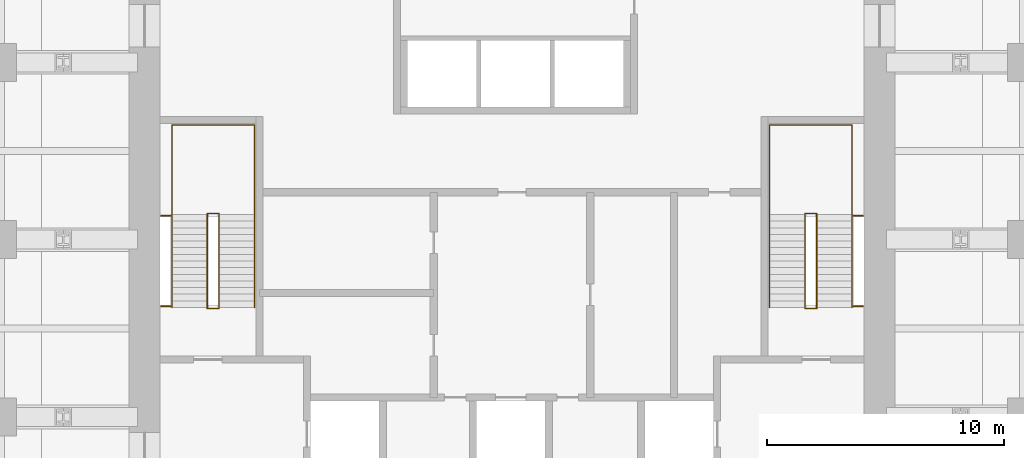
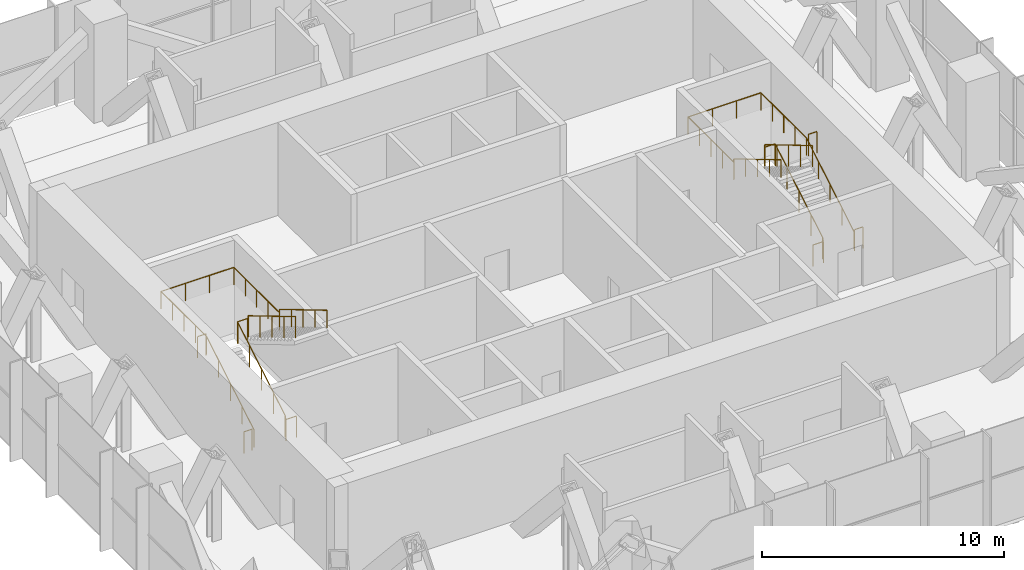
# One storey, part 9 of 9: 8 railings.
"""IFC4 building model written with IfcOpenShell, lengths in metres."""

from ifc_helpers import new_model, si_unit, direction, frame, origin, origin_2d, place, context, subcontext, project, spatial, circle, extrude, material, type_object, element, save


model = new_model("IFC4")

# Units and contexts
model_context = context("Model", 3, precision=1e-05, world=origin(), true_north=direction((0.0, 1.0)))
body_context = subcontext(model_context, "Body", "Model", "MODEL_VIEW")
ifc_project = project(units=[si_unit("LENGTHUNIT", "METRE"), si_unit("AREAUNIT", "SQUARE_METRE"), si_unit("VOLUMEUNIT", "CUBIC_METRE"), si_unit("PLANEANGLEUNIT", "RADIAN"), si_unit("MASSUNIT", "GRAM", prefix="KILO")], contexts=[model_context])

# Site, building, storey
site_placement = place(None, origin())
site = spatial("IfcSite", under=ifc_project, at=site_placement, CompositionType="ELEMENT")
building_placement = place(site_placement, origin())
building = spatial("IfcBuilding", under=site, at=building_placement, Name="Khuree Lantern Residences", CompositionType="ELEMENT")
storey_placement = place(building_placement, frame((0.0, 0.0, 353.25)))
storey = spatial("IfcBuildingStorey", under=building, at=storey_placement, Name="L89", CompositionType="ELEMENT", Elevation=353.25)

# Railings
ifc_material = material(Name="Steel S355", Category="steel")
railing_type_1 = type_object("IfcRailingType", Name="STAIR GUARD G1 1100", PredefinedType="GUARDRAIL", material=ifc_material)
railing_1_placement = place(storey_placement, frame((-12.35009765625, -2.909912109375, 0.0)))
element("IfcRailing", 1, at=railing_1_placement, inside=storey, type_object=railing_type_1, Name="Stair ST1 guard", PredefinedType="GUARDRAIL", context=body_context, shape_type="SweptSolid", body=[
    extrude(circle(Radius=0.02392578125, at=origin_2d()), frame((0.0, 0.0, 1.076171875), z_axis=(-1.0, 0.0, 0.0), x_axis=(0.0, -1.0, 0.0)), (0.0, 0.0, 1.0), 0.5),
    extrude(circle(Radius=0.02392578125, at=origin_2d()), frame((-0.5, 0.0, 1.076171875), z_axis=(0.0, 0.286189326841, 0.958173089375), x_axis=(-1.0, 0.0, 0.0)), (0.0, 0.0, 1.0), 0.174072265625),
    extrude(circle(Radius=0.02392578125, at=origin_2d()), frame((-0.5, 0.0498046875, 1.24267578125), z_axis=(0.0, 0.859310244771, 0.511454693235), x_axis=(-1.0, 0.0, 0.0)), (0.0, 0.0, 1.0), 4.56201171875),
    extrude(circle(Radius=0.02392578125, at=origin_2d()), frame((-0.5, 3.969970703125, 3.576171875), z_axis=(0.0, 1.0, 0.0), x_axis=(-1.0, 0.0, 0.0)), (0.0, 0.0, 1.0), 0.050048828125),
    extrude(circle(Radius=0.02392578125, at=origin_2d()), frame((-0.5, 4.02001953125, 3.576171875), z_axis=(1.0, 0.0, 0.0), x_axis=(0.0, 1.0, 0.0)), (0.0, 0.0, 1.0), 0.5),
    extrude(circle(Radius=0.02392578125, at=origin_2d()), frame((0.0, 4.02001953125, 3.576171875), z_axis=(0.0, -0.287476536604, 0.957787680492), x_axis=(1.0, 0.0, 0.0)), (0.0, 0.0, 1.0), 0.174072265625),
    extrude(circle(Radius=0.02392578125, at=origin_2d()), frame((0.0, 3.969970703125, 3.74267578125), z_axis=(0.0, -0.859310244771, 0.511454693235), x_axis=(1.0, 0.0, 0.0)), (0.0, 0.0, 1.0), 4.56201171875),
    extrude(circle(Radius=0.02099609375, at=origin_2d()), origin(), (0.0, 0.0, 1.0), 1.052001953125),
    extrude(circle(Radius=0.02099609375, at=origin_2d()), frame((-0.5, 0.0, 0.0)), (0.0, 0.0, 1.0), 1.052001953125),
    extrude(circle(Radius=0.02099609375, at=origin_2d()), frame((-0.5, 0.0498046875, 0.166748046875)), (0.0, 0.0, 1.0), 1.052001953125),
    extrude(circle(Radius=0.02099609375, at=origin_2d()), frame((-0.5, 1.02978515625, 0.75)), (0.0, 0.0, 1.0), 1.052001953125),
    extrude(circle(Radius=0.02099609375, at=origin_2d()), frame((-0.5, 2.009765625, 1.33349609375)), (0.0, 0.0, 1.0), 1.052001953125),
    extrude(circle(Radius=0.02099609375, at=origin_2d()), frame((-0.5, 2.989990234375, 1.916748046875)), (0.0, 0.0, 1.0), 1.052001953125),
    extrude(circle(Radius=0.02099609375, at=origin_2d()), frame((-0.5, 3.969970703125, 2.5)), (0.0, 0.0, 1.0), 1.052001953125),
    extrude(circle(Radius=0.02099609375, at=origin_2d()), frame((-0.5, 4.02001953125, 2.5)), (0.0, 0.0, 1.0), 1.052001953125),
    extrude(circle(Radius=0.02099609375, at=origin_2d()), frame((0.0, 4.02001953125, 2.5)), (0.0, 0.0, 1.0), 1.052001953125),
    extrude(circle(Radius=0.02099609375, at=origin_2d()), frame((0.0, 3.969970703125, 2.666748046875)), (0.0, 0.0, 1.0), 1.052001953125),
    extrude(circle(Radius=0.02099609375, at=origin_2d()), frame((0.0, 2.989990234375, 3.25)), (0.0, 0.0, 1.0), 1.052001953125),
    extrude(circle(Radius=0.02099609375, at=origin_2d()), frame((0.0, 2.009765625, 3.83349609375)), (0.0, 0.0, 1.0), 1.052001953125),
    extrude(circle(Radius=0.02099609375, at=origin_2d()), frame((0.0, 1.02978515625, 4.416748046875)), (0.0, 0.0, 1.0), 1.052001953125),
    extrude(circle(Radius=0.02099609375, at=origin_2d()), frame((0.0, 0.0498046875, 5.0)), (0.0, 0.0, 1.0), 1.052001953125),
])
for number, where, name in (
    (2, (-14.800048828125, -2.81005859375, 0.0), "Stair ST1 landing slot guard"),
    (3, (-14.800048828125, 1.010009765625, 2.5), "Stair ST1 landing slot guard"),
):
    element("IfcRailing", number, at=place(storey_placement, frame(where)), inside=storey, type_object=railing_type_1, Name=name, PredefinedType="GUARDRAIL", context=body_context, shape_type="SweptSolid", body=[
        extrude(circle(Radius=0.02392578125, at=origin_2d()), frame((0.0, 0.0, 1.076171875), z_axis=(1.0, 0.0, 0.0), x_axis=(0.0, 1.0, 0.0)), (0.0, 0.0, 1.0), 0.400146484375),
        extrude(circle(Radius=0.02099609375, at=origin_2d()), origin(), (0.0, 0.0, 1.0), 1.052001953125),
        extrude(circle(Radius=0.02099609375, at=origin_2d()), frame((0.400146484375, 0.0, 0.0)), (0.0, 0.0, 1.0), 1.052001953125),
    ])
railing_2_placement = place(storey_placement, frame((12.35009765625, -2.909912109375, 0.0)))
element("IfcRailing", 4, at=railing_2_placement, inside=storey, type_object=railing_type_1, Name="Stair ST2 guard", PredefinedType="GUARDRAIL", context=body_context, shape_type="SweptSolid", body=[
    extrude(circle(Radius=0.02392578125, at=origin_2d()), frame((0.0, 0.0, 1.076171875), z_axis=(1.0, 0.0, 0.0), x_axis=(0.0, 1.0, 0.0)), (0.0, 0.0, 1.0), 0.5),
    extrude(circle(Radius=0.02392578125, at=origin_2d()), frame((0.5, 0.0, 1.076171875), z_axis=(0.0, 0.286189326841, 0.958173089375), x_axis=(-1.0, 0.0, 0.0)), (0.0, 0.0, 1.0), 0.174072265625),
    extrude(circle(Radius=0.02392578125, at=origin_2d()), frame((0.5, 0.0498046875, 1.24267578125), z_axis=(0.0, 0.859310244771, 0.511454693235), x_axis=(-1.0, 0.0, 0.0)), (0.0, 0.0, 1.0), 4.56201171875),
    extrude(circle(Radius=0.02392578125, at=origin_2d()), frame((0.5, 3.969970703125, 3.576171875), z_axis=(0.0, 1.0, 0.0), x_axis=(-1.0, 0.0, 0.0)), (0.0, 0.0, 1.0), 0.050048828125),
    extrude(circle(Radius=0.02392578125, at=origin_2d()), frame((0.5, 4.02001953125, 3.576171875), z_axis=(-1.0, 0.0, 0.0), x_axis=(0.0, -1.0, 0.0)), (0.0, 0.0, 1.0), 0.5),
    extrude(circle(Radius=0.02392578125, at=origin_2d()), frame((0.0, 4.02001953125, 3.576171875), z_axis=(0.0, -0.287476536604, 0.957787680492), x_axis=(1.0, 0.0, 0.0)), (0.0, 0.0, 1.0), 0.174072265625),
    extrude(circle(Radius=0.02392578125, at=origin_2d()), frame((0.0, 3.969970703125, 3.74267578125), z_axis=(0.0, -0.859310244771, 0.511454693235), x_axis=(1.0, 0.0, 0.0)), (0.0, 0.0, 1.0), 4.56201171875),
    extrude(circle(Radius=0.02099609375, at=origin_2d()), origin(), (0.0, 0.0, 1.0), 1.052001953125),
    extrude(circle(Radius=0.02099609375, at=origin_2d()), frame((0.5, 0.0, 0.0)), (0.0, 0.0, 1.0), 1.052001953125),
    extrude(circle(Radius=0.02099609375, at=origin_2d()), frame((0.5, 0.0498046875, 0.166748046875)), (0.0, 0.0, 1.0), 1.052001953125),
    extrude(circle(Radius=0.02099609375, at=origin_2d()), frame((0.5, 1.02978515625, 0.75)), (0.0, 0.0, 1.0), 1.052001953125),
    extrude(circle(Radius=0.02099609375, at=origin_2d()), frame((0.5, 2.009765625, 1.33349609375)), (0.0, 0.0, 1.0), 1.052001953125),
    extrude(circle(Radius=0.02099609375, at=origin_2d()), frame((0.5, 2.989990234375, 1.916748046875)), (0.0, 0.0, 1.0), 1.052001953125),
    extrude(circle(Radius=0.02099609375, at=origin_2d()), frame((0.5, 3.969970703125, 2.5)), (0.0, 0.0, 1.0), 1.052001953125),
    extrude(circle(Radius=0.02099609375, at=origin_2d()), frame((0.5, 4.02001953125, 2.5)), (0.0, 0.0, 1.0), 1.052001953125),
    extrude(circle(Radius=0.02099609375, at=origin_2d()), frame((0.0, 4.02001953125, 2.5)), (0.0, 0.0, 1.0), 1.052001953125),
    extrude(circle(Radius=0.02099609375, at=origin_2d()), frame((0.0, 3.969970703125, 2.666748046875)), (0.0, 0.0, 1.0), 1.052001953125),
    extrude(circle(Radius=0.02099609375, at=origin_2d()), frame((0.0, 2.989990234375, 3.25)), (0.0, 0.0, 1.0), 1.052001953125),
    extrude(circle(Radius=0.02099609375, at=origin_2d()), frame((0.0, 2.009765625, 3.83349609375)), (0.0, 0.0, 1.0), 1.052001953125),
    extrude(circle(Radius=0.02099609375, at=origin_2d()), frame((0.0, 1.02978515625, 4.416748046875)), (0.0, 0.0, 1.0), 1.052001953125),
    extrude(circle(Radius=0.02099609375, at=origin_2d()), frame((0.0, 0.0498046875, 5.0)), (0.0, 0.0, 1.0), 1.052001953125),
])
for number, where, name in (
    (5, (14.800048828125, -2.81005859375, 0.0), "Stair ST2 landing slot guard"),
    (6, (14.800048828125, 1.010009765625, 2.5), "Stair ST2 landing slot guard"),
):
    element("IfcRailing", number, at=place(storey_placement, frame(where)), inside=storey, type_object=railing_type_1, Name=name, PredefinedType="GUARDRAIL", context=body_context, shape_type="SweptSolid", body=[
        extrude(circle(Radius=0.02392578125, at=origin_2d()), frame((0.0, 0.0, 1.076171875), z_axis=(-1.0, 0.0, 0.0), x_axis=(0.0, -1.0, 0.0)), (0.0, 0.0, 1.0), 0.400146484375),
        extrude(circle(Radius=0.02099609375, at=origin_2d()), origin(), (0.0, 0.0, 1.0), 1.052001953125),
        extrude(circle(Radius=0.02099609375, at=origin_2d()), frame((-0.400146484375, 0.0, 0.0)), (0.0, 0.0, 1.0), 1.052001953125),
    ])
railing_type_2 = type_object("IfcRailingType", Name="STAIR HANDRAIL H1 900", PredefinedType="HANDRAIL", material=ifc_material)
railing_3_placement = place(storey_placement, frame((-14.340087890625, -2.860107421875, 0.166748046875)))
element("IfcRailing", 7, at=railing_3_placement, inside=storey, type_object=railing_type_2, Name="Stair ST1 handrail", PredefinedType="HANDRAIL", context=body_context, shape_type="SweptSolid", body=[
    extrude(circle(Radius=0.02392578125, at=origin_2d()), frame((0.0, 0.0, 0.8759765625), z_axis=(0.0, 0.859310244771, 0.511454693235), x_axis=(-1.0, 0.0, 0.0)), (0.0, 0.0, 1.0), 4.56201171875),
    extrude(circle(Radius=0.02392578125, at=origin_2d()), frame((0.0, 3.920166015625, 3.208984375), z_axis=(0.0, 1.0, 0.0), x_axis=(-1.0, 0.0, 0.0)), (0.0, 0.0, 1.0), 3.780029296875),
    extrude(circle(Radius=0.02392578125, at=origin_2d()), frame((0.0, 7.7001953125, 3.208984375), z_axis=(1.0, 0.0, 0.0), x_axis=(0.0, 1.0, 0.0)), (0.0, 0.0, 1.0), 3.47998046875),
    extrude(circle(Radius=0.02392578125, at=origin_2d()), frame((3.47998046875, 7.7001953125, 3.208984375), z_axis=(0.0, -1.0, 0.0), x_axis=(1.0, 0.0, 0.0)), (0.0, 0.0, 1.0), 3.780029296875),
    extrude(circle(Radius=0.02392578125, at=origin_2d()), frame((3.47998046875, 3.920166015625, 3.208984375), z_axis=(0.0, 0.0, 1.0), x_axis=(1.0, 0.0, 0.0)), (0.0, 0.0, 1.0), 0.166748046875),
    extrude(circle(Radius=0.02392578125, at=origin_2d()), frame((3.47998046875, 3.920166015625, 3.3759765625), z_axis=(0.0, -0.859310244771, 0.511454693235), x_axis=(1.0, 0.0, 0.0)), (0.0, 0.0, 1.0), 4.56201171875),
    extrude(circle(Radius=0.02099609375, at=origin_2d()), origin(), (0.0, 0.0, 1.0), 0.851806640625),
    extrude(circle(Radius=0.02099609375, at=origin_2d()), frame((0.0, 0.97998046875, 0.583251953125)), (0.0, 0.0, 1.0), 0.851806640625),
    extrude(circle(Radius=0.02099609375, at=origin_2d()), frame((0.0, 1.9599609375, 1.16650390625)), (0.0, 0.0, 1.0), 0.851806640625),
    extrude(circle(Radius=0.02099609375, at=origin_2d()), frame((0.0, 2.940185546875, 1.75)), (0.0, 0.0, 1.0), 0.851806640625),
    extrude(circle(Radius=0.02099609375, at=origin_2d()), frame((0.0, 3.920166015625, 2.333251953125)), (0.0, 0.0, 1.0), 0.851806640625),
    extrude(circle(Radius=0.02099609375, at=origin_2d()), frame((0.0, 4.865234375, 2.333251953125)), (0.0, 0.0, 1.0), 0.851806640625),
    extrude(circle(Radius=0.02099609375, at=origin_2d()), frame((0.0, 5.81005859375, 2.333251953125)), (0.0, 0.0, 1.0), 0.851806640625),
    extrude(circle(Radius=0.02099609375, at=origin_2d()), frame((0.0, 6.755126953125, 2.333251953125)), (0.0, 0.0, 1.0), 0.851806640625),
    extrude(circle(Radius=0.02099609375, at=origin_2d()), frame((0.0, 7.7001953125, 2.333251953125)), (0.0, 0.0, 1.0), 0.851806640625),
    extrude(circle(Radius=0.02099609375, at=origin_2d()), frame((1.159912109375, 7.7001953125, 2.333251953125)), (0.0, 0.0, 1.0), 0.851806640625),
    extrude(circle(Radius=0.02099609375, at=origin_2d()), frame((2.320068359375, 7.7001953125, 2.333251953125)), (0.0, 0.0, 1.0), 0.851806640625),
    extrude(circle(Radius=0.02099609375, at=origin_2d()), frame((3.47998046875, 7.7001953125, 2.333251953125)), (0.0, 0.0, 1.0), 0.851806640625),
    extrude(circle(Radius=0.02099609375, at=origin_2d()), frame((3.47998046875, 6.755126953125, 2.333251953125)), (0.0, 0.0, 1.0), 0.851806640625),
    extrude(circle(Radius=0.02099609375, at=origin_2d()), frame((3.47998046875, 5.81005859375, 2.333251953125)), (0.0, 0.0, 1.0), 0.851806640625),
    extrude(circle(Radius=0.02099609375, at=origin_2d()), frame((3.47998046875, 4.865234375, 2.333251953125)), (0.0, 0.0, 1.0), 0.851806640625),
    extrude(circle(Radius=0.02099609375, at=origin_2d()), frame((3.47998046875, 3.920166015625, 2.333251953125)), (0.0, 0.0, 1.0), 0.851806640625),
    extrude(circle(Radius=0.02099609375, at=origin_2d()), frame((3.47998046875, 3.920166015625, 2.5)), (0.0, 0.0, 1.0), 0.851806640625),
    extrude(circle(Radius=0.02099609375, at=origin_2d()), frame((3.47998046875, 2.940185546875, 3.083251953125)), (0.0, 0.0, 1.0), 0.851806640625),
    extrude(circle(Radius=0.02099609375, at=origin_2d()), frame((3.47998046875, 1.9599609375, 3.66650390625)), (0.0, 0.0, 1.0), 0.851806640625),
    extrude(circle(Radius=0.02099609375, at=origin_2d()), frame((3.47998046875, 0.97998046875, 4.25)), (0.0, 0.0, 1.0), 0.851806640625),
    extrude(circle(Radius=0.02099609375, at=origin_2d()), frame((3.47998046875, 0.0, 4.833251953125)), (0.0, 0.0, 1.0), 0.851806640625),
])
railing_4_placement = place(storey_placement, frame((14.340087890625, -2.860107421875, 0.166748046875)))
element("IfcRailing", 8, at=railing_4_placement, inside=storey, type_object=railing_type_2, Name="Stair ST2 handrail", PredefinedType="HANDRAIL", context=body_context, shape_type="SweptSolid", body=[
    extrude(circle(Radius=0.02392578125, at=origin_2d()), frame((0.0, 0.0, 0.8759765625), z_axis=(0.0, 0.859310244771, 0.511454693235), x_axis=(-1.0, 0.0, 0.0)), (0.0, 0.0, 1.0), 4.56201171875),
    extrude(circle(Radius=0.02392578125, at=origin_2d()), frame((0.0, 3.920166015625, 3.208984375), z_axis=(0.0, 1.0, 0.0), x_axis=(-1.0, 0.0, 0.0)), (0.0, 0.0, 1.0), 3.780029296875),
    extrude(circle(Radius=0.02392578125, at=origin_2d()), frame((0.0, 7.7001953125, 3.208984375), z_axis=(-1.0, 0.0, 0.0), x_axis=(0.0, -1.0, 0.0)), (0.0, 0.0, 1.0), 3.47998046875),
    extrude(circle(Radius=0.02392578125, at=origin_2d()), frame((-3.47998046875, 7.7001953125, 3.208984375), z_axis=(0.0, -1.0, 0.0), x_axis=(1.0, 0.0, 0.0)), (0.0, 0.0, 1.0), 3.780029296875),
    extrude(circle(Radius=0.02392578125, at=origin_2d()), frame((-3.47998046875, 3.920166015625, 3.208984375), z_axis=(0.0, 0.0, 1.0), x_axis=(1.0, 0.0, 0.0)), (0.0, 0.0, 1.0), 0.166748046875),
    extrude(circle(Radius=0.02392578125, at=origin_2d()), frame((-3.47998046875, 3.920166015625, 3.3759765625), z_axis=(0.0, -0.859310244771, 0.511454693235), x_axis=(1.0, 0.0, 0.0)), (0.0, 0.0, 1.0), 4.56201171875),
    extrude(circle(Radius=0.02099609375, at=origin_2d()), origin(), (0.0, 0.0, 1.0), 0.851806640625),
    extrude(circle(Radius=0.02099609375, at=origin_2d()), frame((0.0, 0.97998046875, 0.583251953125)), (0.0, 0.0, 1.0), 0.851806640625),
    extrude(circle(Radius=0.02099609375, at=origin_2d()), frame((0.0, 1.9599609375, 1.16650390625)), (0.0, 0.0, 1.0), 0.851806640625),
    extrude(circle(Radius=0.02099609375, at=origin_2d()), frame((0.0, 2.940185546875, 1.75)), (0.0, 0.0, 1.0), 0.851806640625),
    extrude(circle(Radius=0.02099609375, at=origin_2d()), frame((0.0, 3.920166015625, 2.333251953125)), (0.0, 0.0, 1.0), 0.851806640625),
    extrude(circle(Radius=0.02099609375, at=origin_2d()), frame((0.0, 4.865234375, 2.333251953125)), (0.0, 0.0, 1.0), 0.851806640625),
    extrude(circle(Radius=0.02099609375, at=origin_2d()), frame((0.0, 5.81005859375, 2.333251953125)), (0.0, 0.0, 1.0), 0.851806640625),
    extrude(circle(Radius=0.02099609375, at=origin_2d()), frame((0.0, 6.755126953125, 2.333251953125)), (0.0, 0.0, 1.0), 0.851806640625),
    extrude(circle(Radius=0.02099609375, at=origin_2d()), frame((0.0, 7.7001953125, 2.333251953125)), (0.0, 0.0, 1.0), 0.851806640625),
    extrude(circle(Radius=0.02099609375, at=origin_2d()), frame((-1.159912109375, 7.7001953125, 2.333251953125)), (0.0, 0.0, 1.0), 0.851806640625),
    extrude(circle(Radius=0.02099609375, at=origin_2d()), frame((-2.320068359375, 7.7001953125, 2.333251953125)), (0.0, 0.0, 1.0), 0.851806640625),
    extrude(circle(Radius=0.02099609375, at=origin_2d()), frame((-3.47998046875, 7.7001953125, 2.333251953125)), (0.0, 0.0, 1.0), 0.851806640625),
    extrude(circle(Radius=0.02099609375, at=origin_2d()), frame((-3.47998046875, 6.755126953125, 2.333251953125)), (0.0, 0.0, 1.0), 0.851806640625),
    extrude(circle(Radius=0.02099609375, at=origin_2d()), frame((-3.47998046875, 5.81005859375, 2.333251953125)), (0.0, 0.0, 1.0), 0.851806640625),
    extrude(circle(Radius=0.02099609375, at=origin_2d()), frame((-3.47998046875, 4.865234375, 2.333251953125)), (0.0, 0.0, 1.0), 0.851806640625),
    extrude(circle(Radius=0.02099609375, at=origin_2d()), frame((-3.47998046875, 3.920166015625, 2.333251953125)), (0.0, 0.0, 1.0), 0.851806640625),
    extrude(circle(Radius=0.02099609375, at=origin_2d()), frame((-3.47998046875, 3.920166015625, 2.5)), (0.0, 0.0, 1.0), 0.851806640625),
    extrude(circle(Radius=0.02099609375, at=origin_2d()), frame((-3.47998046875, 2.940185546875, 3.083251953125)), (0.0, 0.0, 1.0), 0.851806640625),
    extrude(circle(Radius=0.02099609375, at=origin_2d()), frame((-3.47998046875, 1.9599609375, 3.66650390625)), (0.0, 0.0, 1.0), 0.851806640625),
    extrude(circle(Radius=0.02099609375, at=origin_2d()), frame((-3.47998046875, 0.97998046875, 4.25)), (0.0, 0.0, 1.0), 0.851806640625),
    extrude(circle(Radius=0.02099609375, at=origin_2d()), frame((-3.47998046875, 0.0, 4.833251953125)), (0.0, 0.0, 1.0), 0.851806640625),
])

save(model, "model.ifc")
